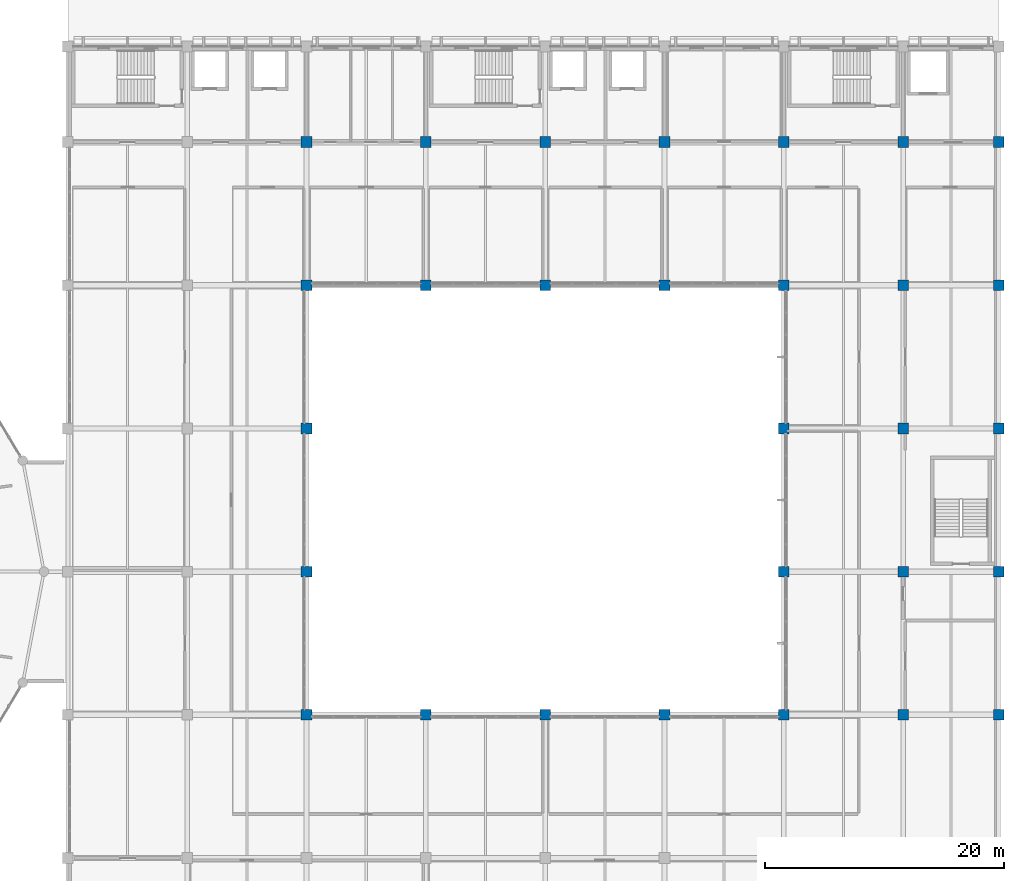
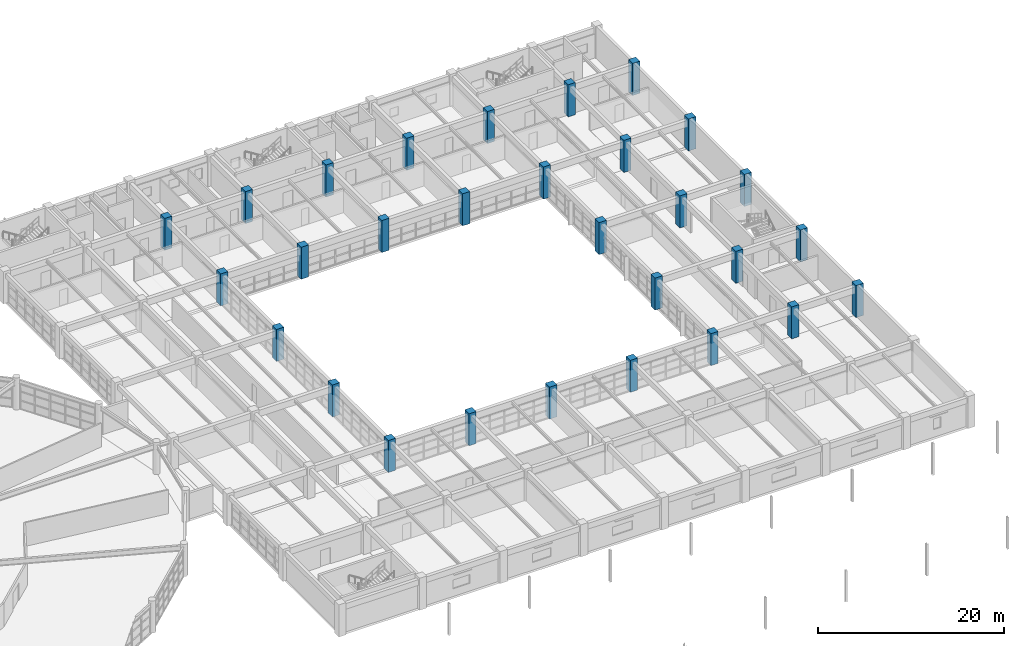
# One storey, part 20 of 100: 29 columns.
"""IFC4 building model written with IfcOpenShell, lengths in metres."""

from ifc_helpers import new_model, si_unit, direction, frame, origin, origin_2d, place, context, subcontext, project, spatial, rectangle, extrude, material, material_profile, profile_set, type_object, element, save


model = new_model("IFC4")

# Units and contexts
model_context = context("Model", 3, precision=1e-05, world=origin(), true_north=direction((0.0, 1.0)))
body_context = subcontext(model_context, "Body", "Model", "MODEL_VIEW")
ifc_project = project(units=[si_unit("LENGTHUNIT", "METRE"), si_unit("AREAUNIT", "SQUARE_METRE"), si_unit("VOLUMEUNIT", "CUBIC_METRE"), si_unit("PLANEANGLEUNIT", "RADIAN"), si_unit("MASSUNIT", "GRAM", prefix="KILO")], contexts=[model_context])

# Site, building, storey
site_placement = place(None, origin())
site = spatial("IfcSite", under=ifc_project, at=site_placement, CompositionType="ELEMENT")
building_placement = place(site_placement, origin())
building = spatial("IfcBuilding", under=site, at=building_placement, Name="Kivolera Central Railway Station", CompositionType="ELEMENT")
storey_placement = place(building_placement, frame((0.0, 0.0, 5.39990234375)))
storey = spatial("IfcBuildingStorey", under=building, at=storey_placement, Name="L01", CompositionType="ELEMENT", Elevation=5.39990234375)

# Columns
ifc_material = material(Name="Concrete C40/50", Category="concrete")
ifc_material_profile = material_profile(ifc_material, rectangle(XDim=0.89990234375, YDim=0.89990234375, at=origin_2d()), Name="RC 900x900")
ifc_profile_set = profile_set([ifc_material_profile], Name="Concrete C40/50")
column_type = type_object("IfcColumnType", Name="COL-RC-900", PredefinedType="COLUMN", material=ifc_profile_set)
for number, where, z_axis, x_axis, name in (
    (1, (138.0, 78.0, 0.0), (0.0, 0.0, 1.0), (1.0, 0.0, 0.0), "L01 Wing Column 14-G"),
    (2, (138.0, 90.0, 0.0), (0.0, 0.0, 1.0), (1.0, 0.0, 0.0), "L01 Wing Column 14-H"),
    (3, (138.0, 102.0, 0.0), (0.0, 0.0, 1.0), (1.0, 0.0, 0.0), "L01 Wing Column 14-J"),
    (4, (138.0, 114.0, 0.0), (0.0, 0.0, 1.0), (1.0, 0.0, 0.0), "L01 Wing Column 14-K"),
    (5, (138.0, 126.0, 0.0), (0.0, 0.0, 1.0), (1.0, 0.0, 0.0), "L01 Wing Column 14-L"),
    (6, (148.0, 78.0, 0.0), (0.0, 0.0, 1.0), (1.0, 0.0, 0.0), "L01 Wing Column 15-G"),
    (7, (148.0, 114.0, 0.0), (0.0, 0.0, 1.0), (1.0, 0.0, 0.0), "L01 Wing Column 15-K"),
    (8, (148.0, 126.0, 0.0), (0.0, 0.0, 1.0), (1.0, 0.0, 0.0), "L01 Wing Column 15-L"),
    (9, (158.0, 78.0, 0.0), (0.0, 0.0, 1.0), (1.0, 0.0, 0.0), "L01 Wing Column 16-G"),
    (10, (158.0, 114.0, 0.0), (0.0, 0.0, 1.0), (1.0, 0.0, 0.0), "L01 Wing Column 16-K"),
    (11, (158.0, 126.0, 0.0), (0.0, 0.0, 1.0), (1.0, 0.0, 0.0), "L01 Wing Column 16-L"),
    (12, (168.0, 78.0, 0.0), (0.0, 0.0, 1.0), (1.0, 0.0, 0.0), "L01 Wing Column 17-G"),
    (13, (168.0, 114.0, 0.0), (0.0, 0.0, 1.0), (1.0, 0.0, 0.0), "L01 Wing Column 17-K"),
    (14, (168.0, 126.0, 0.0), (0.0, 0.0, 1.0), (1.0, 0.0, 0.0), "L01 Wing Column 17-L"),
    (15, (178.0, 78.0, 0.0), (0.0, 0.0, 1.0), (1.0, 0.0, 0.0), "L01 Wing Column 18-G"),
    (16, (178.0, 90.0, 0.0), (0.0, 0.0, 1.0), (1.0, 0.0, 0.0), "L01 Wing Column 18-H"),
    (17, (178.0, 102.0, 0.0), (0.0, 0.0, 1.0), (1.0, 0.0, 0.0), "L01 Wing Column 18-J"),
    (18, (178.0, 114.0, 0.0), (0.0, 0.0, 1.0), (1.0, 0.0, 0.0), "L01 Wing Column 18-K"),
    (19, (178.0, 126.0, 0.0), (0.0, 0.0, 1.0), (1.0, 0.0, 0.0), "L01 Wing Column 18-L"),
    (20, (188.0, 78.0, 0.0), (0.0, 0.0, 1.0), (1.0, 0.0, 0.0), "L01 Wing Column 19-G"),
    (21, (188.0, 90.0, 0.0), (0.0, 0.0, 1.0), (1.0, 0.0, 0.0), "L01 Wing Column 19-H"),
    (22, (188.0, 102.0, 0.0), (0.0, 0.0, 1.0), (1.0, 0.0, 0.0), "L01 Wing Column 19-J"),
    (23, (188.0, 114.0, 0.0), (0.0, 0.0, 1.0), (1.0, 0.0, 0.0), "L01 Wing Column 19-K"),
    (24, (188.0, 126.0, 0.0), (0.0, 0.0, 1.0), (1.0, 0.0, 0.0), "L01 Wing Column 19-L"),
    (25, (196.0, 78.0, 0.0), (0.0, 0.0, 1.0), (1.0, 0.0, 0.0), "L01 Wing Column 20-G"),
    (26, (196.0, 90.0, 0.0), (0.0, 0.0, 1.0), (1.0, 0.0, 0.0), "L01 Wing Column 20-H"),
    (27, (196.0, 102.0, 0.0), (0.0, 0.0, 1.0), (1.0, 0.0, 0.0), "L01 Wing Column 20-J"),
    (28, (196.0, 114.0, 0.0), (0.0, 0.0, 1.0), (1.0, 0.0, 0.0), "L01 Wing Column 20-K"),
    (29, (196.0, 126.0, 0.0), (0.0, 0.0, 1.0), (1.0, 0.0, 0.0), "L01 Wing Column 20-L"),
):
    element("IfcColumn", number, at=place(storey_placement, frame(where, z_axis=z_axis, x_axis=x_axis)), inside=storey, type_object=column_type, Name=name, PredefinedType="COLUMN", context=body_context, shape_type="SweptSolid", body=[
        extrude(rectangle(XDim=0.89990234375, YDim=0.89990234375, at=origin_2d()), origin(), (0.0, 0.0, 1.0), 4.2001953125),
    ])

save(model, "model.ifc")
